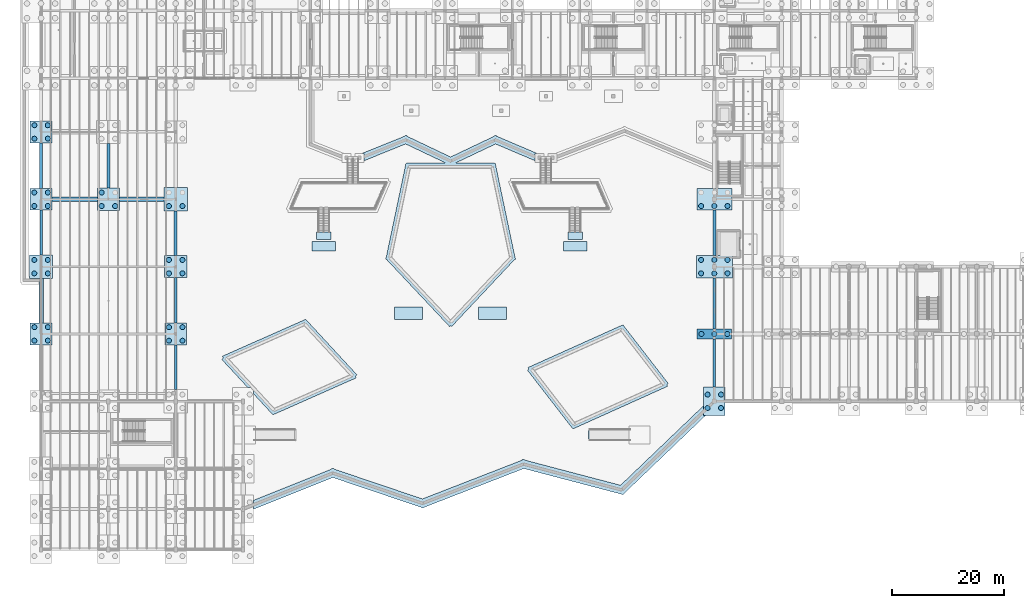
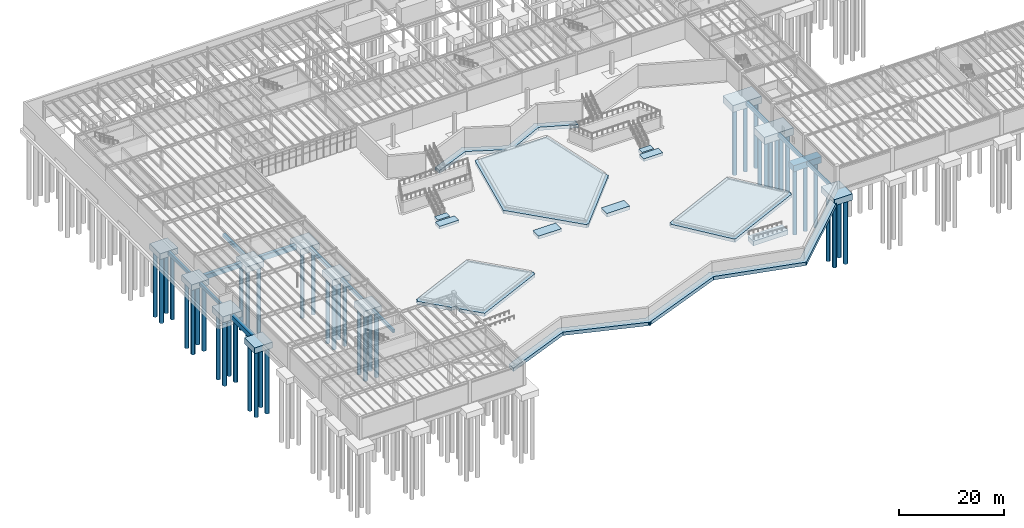
# One storey, part 2 of 67: 45 piles, 35 footings.
"""IFC4 building model written with IfcOpenShell, lengths in metres."""

from ifc_helpers import new_model, si_unit, direction, frame, origin, origin_2d, place, context, subcontext, project, spatial, polyline, rectangle, circle, outline, extrude, material, material_profile, profile_set, type_object, element, save


model = new_model("IFC4")

# Units and contexts
model_context = context("Model", 3, precision=1e-05, world=origin(), true_north=direction((0.0, 1.0)))
body_context = subcontext(model_context, "Body", "Model", "MODEL_VIEW")
ifc_project = project(units=[si_unit("LENGTHUNIT", "METRE"), si_unit("AREAUNIT", "SQUARE_METRE"), si_unit("VOLUMEUNIT", "CUBIC_METRE"), si_unit("PLANEANGLEUNIT", "RADIAN"), si_unit("MASSUNIT", "GRAM", prefix="KILO")], contexts=[model_context])

# Site, building, storey
site_placement = place(None, origin())
site = spatial("IfcSite", under=ifc_project, at=site_placement, CompositionType="ELEMENT")
building_placement = place(site_placement, origin())
building = spatial("IfcBuilding", under=site, at=building_placement, Name="Zlatogorsky Bluff Art Gallery", CompositionType="ELEMENT")
storey_placement = place(building_placement, frame((0.0, 0.0, -5.39990234375)))
storey = spatial("IfcBuildingStorey", under=building, at=storey_placement, Name="B1", CompositionType="ELEMENT", Elevation=-5.39990234375)

# Piles
ifc_material = material(Name="Concrete C35/45", Category="concrete")
ifc_material_profile = material_profile(ifc_material, circle(Radius=0.449951171875, at=origin_2d()), Name="BORED PILE D900")
ifc_profile_set = profile_set([ifc_material_profile], Name="Concrete C35/45")
pile_type = type_object("IfcPileType", Name="Bored Pile D900 C35/45", PredefinedType="BORED", material=ifc_profile_set)
for number, where, z_axis, x_axis, name in (
    (1, (-1.199951171875, 37.199951171875, -1.66015625), (0.0, 0.0, -1.0), (1.0, 0.0, 0.0), "Bored pile PL-01 00.04.1"),
    (2, (-1.199951171875, 39.60009765625, -1.66015625), (0.0, 0.0, -1.0), (1.0, 0.0, 0.0), "Bored pile PL-01 00.04.2"),
    (3, (1.199951171875, 37.199951171875, -1.66015625), (0.0, 0.0, -1.0), (1.0, 0.0, 0.0), "Bored pile PL-01 00.04.3"),
    (4, (1.199951171875, 39.60009765625, -1.66015625), (0.0, 0.0, -1.0), (1.0, 0.0, 0.0), "Bored pile PL-01 00.04.4"),
):
    element("IfcPile", number, at=place(storey_placement, frame(where, z_axis=z_axis, x_axis=x_axis)), inside=storey, type_object=pile_type, Name=name, PredefinedType="BORED", context=body_context, shape_type="SweptSolid", body=[
        extrude(circle(Radius=0.449951171875, at=origin_2d()), origin(), (0.0, 0.0, 1.0), 15.340087890625),
    ])
for number, where, z_axis, x_axis, name in (
    (5, (-1.199951171875, 49.199951171875, -1.72021484375), (0.0, 0.0, -1.0), (1.0, 0.0, 0.0), "Bored pile PL-01 00.05.1"),
    (6, (-1.199951171875, 51.60009765625, -1.72021484375), (0.0, 0.0, -1.0), (1.0, 0.0, 0.0), "Bored pile PL-01 00.05.2"),
    (7, (1.199951171875, 49.199951171875, -1.72021484375), (0.0, 0.0, -1.0), (1.0, 0.0, 0.0), "Bored pile PL-01 00.05.3"),
    (8, (1.199951171875, 51.60009765625, -1.72021484375), (0.0, 0.0, -1.0), (1.0, 0.0, 0.0), "Bored pile PL-01 00.05.4"),
):
    element("IfcPile", number, at=place(storey_placement, frame(where, z_axis=z_axis, x_axis=x_axis)), inside=storey, type_object=pile_type, Name=name, PredefinedType="BORED", context=body_context, shape_type="SweptSolid", body=[
        extrude(circle(Radius=0.449951171875, at=origin_2d()), origin(), (0.0, 0.0, 1.0), 15.280029296875),
    ])
for number, where, z_axis, x_axis, name in (
    (9, (-1.199951171875, 61.199951171875, -1.6201171875), (0.0, 0.0, -1.0), (1.0, 0.0, 0.0), "Bored pile PL-01 00.06.1"),
    (10, (-1.199951171875, 63.60009765625, -1.6201171875), (0.0, 0.0, -1.0), (1.0, 0.0, 0.0), "Bored pile PL-01 00.06.2"),
    (11, (1.199951171875, 61.199951171875, -1.6201171875), (0.0, 0.0, -1.0), (1.0, 0.0, 0.0), "Bored pile PL-01 00.06.3"),
    (12, (1.199951171875, 63.60009765625, -1.6201171875), (0.0, 0.0, -1.0), (1.0, 0.0, 0.0), "Bored pile PL-01 00.06.4"),
):
    element("IfcPile", number, at=place(storey_placement, frame(where, z_axis=z_axis, x_axis=x_axis)), inside=storey, type_object=pile_type, Name=name, PredefinedType="BORED", context=body_context, shape_type="SweptSolid", body=[
        extrude(circle(Radius=0.449951171875, at=origin_2d()), origin(), (0.0, 0.0, 1.0), 15.3798828125),
    ])
for number, where, z_axis, x_axis, name in (
    (13, (-1.199951171875, 73.199951171875, -1.66015625), (0.0, 0.0, -1.0), (1.0, 0.0, 0.0), "Bored pile PL-01 00.07.1"),
    (14, (-1.199951171875, 75.60009765625, -1.66015625), (0.0, 0.0, -1.0), (1.0, 0.0, 0.0), "Bored pile PL-01 00.07.2"),
    (15, (1.199951171875, 73.199951171875, -1.66015625), (0.0, 0.0, -1.0), (1.0, 0.0, 0.0), "Bored pile PL-01 00.07.3"),
    (16, (1.199951171875, 75.60009765625, -1.66015625), (0.0, 0.0, -1.0), (1.0, 0.0, 0.0), "Bored pile PL-01 00.07.4"),
    (17, (10.800048828125, 61.199951171875, -1.66015625), (0.0, 0.0, -1.0), (1.0, 0.0, 0.0), "Bored pile PL-01 01.06.1"),
    (18, (10.800048828125, 63.60009765625, -1.66015625), (0.0, 0.0, -1.0), (1.0, 0.0, 0.0), "Bored pile PL-01 01.06.2"),
    (19, (13.199951171875, 61.199951171875, -1.66015625), (0.0, 0.0, -1.0), (1.0, 0.0, 0.0), "Bored pile PL-01 01.06.3"),
):
    element("IfcPile", number, at=place(storey_placement, frame(where, z_axis=z_axis, x_axis=x_axis)), inside=storey, type_object=pile_type, Name=name, PredefinedType="BORED", context=body_context, shape_type="SweptSolid", body=[
        extrude(circle(Radius=0.449951171875, at=origin_2d()), origin(), (0.0, 0.0, 1.0), 15.340087890625),
    ])
for number, where, z_axis, x_axis, name in (
    (20, (22.800048828125, 37.199951171875, -1.6201171875), (0.0, 0.0, -1.0), (1.0, 0.0, 0.0), "Bored pile PL-01 02.04.1"),
    (21, (22.800048828125, 39.60009765625, -1.6201171875), (0.0, 0.0, -1.0), (1.0, 0.0, 0.0), "Bored pile PL-01 02.04.2"),
    (22, (25.199951171875, 37.199951171875, -1.6201171875), (0.0, 0.0, -1.0), (1.0, 0.0, 0.0), "Bored pile PL-01 02.04.3"),
    (23, (25.199951171875, 39.60009765625, -1.6201171875), (0.0, 0.0, -1.0), (1.0, 0.0, 0.0), "Bored pile PL-01 02.04.4"),
):
    element("IfcPile", number, at=place(storey_placement, frame(where, z_axis=z_axis, x_axis=x_axis)), inside=storey, type_object=pile_type, Name=name, PredefinedType="BORED", context=body_context, shape_type="SweptSolid", body=[
        extrude(circle(Radius=0.449951171875, at=origin_2d()), origin(), (0.0, 0.0, 1.0), 15.3798828125),
    ])
for number, where, z_axis, x_axis, name in (
    (24, (22.800048828125, 49.199951171875, -1.66015625), (0.0, 0.0, -1.0), (1.0, 0.0, 0.0), "Bored pile PL-01 02.05.1"),
    (25, (22.800048828125, 51.60009765625, -1.66015625), (0.0, 0.0, -1.0), (1.0, 0.0, 0.0), "Bored pile PL-01 02.05.2"),
    (26, (25.199951171875, 49.199951171875, -1.66015625), (0.0, 0.0, -1.0), (1.0, 0.0, 0.0), "Bored pile PL-01 02.05.3"),
    (27, (25.199951171875, 51.60009765625, -1.66015625), (0.0, 0.0, -1.0), (1.0, 0.0, 0.0), "Bored pile PL-01 02.05.4"),
):
    element("IfcPile", number, at=place(storey_placement, frame(where, z_axis=z_axis, x_axis=x_axis)), inside=storey, type_object=pile_type, Name=name, PredefinedType="BORED", context=body_context, shape_type="SweptSolid", body=[
        extrude(circle(Radius=0.449951171875, at=origin_2d()), origin(), (0.0, 0.0, 1.0), 15.340087890625),
    ])
for number, where, z_axis, x_axis, name in (
    (28, (22.800048828125, 61.199951171875, -1.72021484375), (0.0, 0.0, -1.0), (1.0, 0.0, 0.0), "Bored pile PL-01 02.06.1"),
    (29, (25.199951171875, 61.199951171875, -1.72021484375), (0.0, 0.0, -1.0), (1.0, 0.0, 0.0), "Bored pile PL-01 02.06.3"),
):
    element("IfcPile", number, at=place(storey_placement, frame(where, z_axis=z_axis, x_axis=x_axis)), inside=storey, type_object=pile_type, Name=name, PredefinedType="BORED", context=body_context, shape_type="SweptSolid", body=[
        extrude(circle(Radius=0.449951171875, at=origin_2d()), origin(), (0.0, 0.0, 1.0), 15.280029296875),
    ])
for number, where, z_axis, x_axis, name in (
    (30, (118.800048828125, 25.199951171875, -1.739990234375), (0.0, 0.0, -1.0), (1.0, 0.0, 0.0), "Bored pile PL-01 10.03.1"),
    (31, (118.800048828125, 27.60009765625, -1.739990234375), (0.0, 0.0, -1.0), (1.0, 0.0, 0.0), "Bored pile PL-01 10.03.2"),
    (32, (121.199951171875, 25.199951171875, -1.739990234375), (0.0, 0.0, -1.0), (1.0, 0.0, 0.0), "Bored pile PL-01 10.03.3"),
    (33, (121.199951171875, 27.60009765625, -1.739990234375), (0.0, 0.0, -1.0), (1.0, 0.0, 0.0), "Bored pile PL-01 10.03.4"),
):
    element("IfcPile", number, at=place(storey_placement, frame(where, z_axis=z_axis, x_axis=x_axis)), inside=storey, type_object=pile_type, Name=name, PredefinedType="BORED", context=body_context, shape_type="SweptSolid", body=[
        extrude(circle(Radius=0.449951171875, at=origin_2d()), origin(), (0.0, 0.0, 1.0), 15.260009765625),
    ])
for number, where, z_axis, x_axis, name in (
    (34, (117.699951171875, 38.39990234375, -1.75), (0.0, 0.0, -1.0), (1.0, 0.0, 0.0), "Bored pile PL-01 10.04.1"),
    (35, (120.0, 38.39990234375, -1.75), (0.0, 0.0, -1.0), (1.0, 0.0, 0.0), "Bored pile PL-01 10.04.2"),
    (36, (122.300048828125, 38.39990234375, -1.75), (0.0, 0.0, -1.0), (1.0, 0.0, 0.0), "Bored pile PL-01 10.04.3"),
):
    element("IfcPile", number, at=place(storey_placement, frame(where, z_axis=z_axis, x_axis=x_axis)), inside=storey, type_object=pile_type, Name=name, PredefinedType="BORED", context=body_context, shape_type="SweptSolid", body=[
        extrude(circle(Radius=0.449951171875, at=origin_2d()), origin(), (0.0, 0.0, 1.0), 15.25),
    ])
for number, where, z_axis, x_axis, name in (
    (37, (117.64990234375, 49.199951171875, -1.9501953125), (0.0, 0.0, -1.0), (1.0, 0.0, 0.0), "Bored pile PL-01 10.05.1"),
    (38, (120.0, 49.199951171875, -1.9501953125), (0.0, 0.0, -1.0), (1.0, 0.0, 0.0), "Bored pile PL-01 10.05.2"),
    (39, (122.35009765625, 49.199951171875, -1.9501953125), (0.0, 0.0, -1.0), (1.0, 0.0, 0.0), "Bored pile PL-01 10.05.3"),
    (40, (117.64990234375, 51.60009765625, -1.9501953125), (0.0, 0.0, -1.0), (1.0, 0.0, 0.0), "Bored pile PL-01 10.05.4"),
    (41, (120.0, 51.60009765625, -1.9501953125), (0.0, 0.0, -1.0), (1.0, 0.0, 0.0), "Bored pile PL-01 10.05.5"),
    (42, (122.35009765625, 51.60009765625, -1.9501953125), (0.0, 0.0, -1.0), (1.0, 0.0, 0.0), "Bored pile PL-01 10.05.6"),
):
    element("IfcPile", number, at=place(storey_placement, frame(where, z_axis=z_axis, x_axis=x_axis)), inside=storey, type_object=pile_type, Name=name, PredefinedType="BORED", context=body_context, shape_type="SweptSolid", body=[
        extrude(circle(Radius=0.449951171875, at=origin_2d()), origin(), (0.0, 0.0, 1.0), 15.050048828125),
    ])
for number, where, z_axis, x_axis, name in (
    (43, (117.64990234375, 61.199951171875, -1.900146484375), (0.0, 0.0, -1.0), (1.0, 0.0, 0.0), "Bored pile PL-01 10.06.1"),
    (44, (120.0, 61.199951171875, -1.900146484375), (0.0, 0.0, -1.0), (1.0, 0.0, 0.0), "Bored pile PL-01 10.06.2"),
    (45, (122.35009765625, 61.199951171875, -1.900146484375), (0.0, 0.0, -1.0), (1.0, 0.0, 0.0), "Bored pile PL-01 10.06.3"),
):
    element("IfcPile", number, at=place(storey_placement, frame(where, z_axis=z_axis, x_axis=x_axis)), inside=storey, type_object=pile_type, Name=name, PredefinedType="BORED", context=body_context, shape_type="SweptSolid", body=[
        extrude(circle(Radius=0.449951171875, at=origin_2d()), origin(), (0.0, 0.0, 1.0), 15.10009765625),
    ])

# Footings
footing_type_1 = type_object("IfcFootingType", Name="Foundation FB-01 450x750", PredefinedType="FOOTING_BEAM", material=ifc_material)
footing_1_placement = place(storey_placement, frame((0.0, 0.0, -1.150146484375)))
element("IfcFooting", 46, at=footing_1_placement, inside=storey, type_object=footing_type_1, Name="Ground tie beam FB-01 A/6-7", PredefinedType="FOOTING_BEAM", context=body_context, shape_type="SweptSolid", body=[
    extrude(outline(polyline([(-0.22509765625, 52.47509765625), (0.22509765625, 52.47509765625), (0.22509765625, 60.47509765625), (-0.22509765625, 60.47509765625), (-0.22509765625, 52.47509765625)])), origin(), (0.0, 0.0, 1.0), 0.75),
])
footing_2_placement = place(storey_placement, frame((0.0, 0.0, -1.150146484375)))
element("IfcFooting", 47, at=footing_2_placement, inside=storey, type_object=footing_type_1, Name="Ground tie beam FB-01 C/4-5", PredefinedType="FOOTING_BEAM", context=body_context, shape_type="SweptSolid", body=[
    extrude(outline(polyline([(23.77490234375, 28.47509765625), (24.22509765625, 28.47509765625), (24.22509765625, 36.47509765625), (23.77490234375, 36.47509765625), (23.77490234375, 28.47509765625)])), origin(), (0.0, 0.0, 1.0), 0.75),
])
footing_3_placement = place(storey_placement, frame((0.0, 0.0, -1.150146484375)))
element("IfcFooting", 48, at=footing_3_placement, inside=storey, type_object=footing_type_1, Name="Ground tie beam FB-01 L/4-5", PredefinedType="FOOTING_BEAM", context=body_context, shape_type="SweptSolid", body=[
    extrude(outline(polyline([(119.77490234375, 28.949951171875), (120.22509765625, 28.949951171875), (120.22509765625, 37.47509765625), (119.77490234375, 37.47509765625), (119.77490234375, 28.949951171875)])), origin(), (0.0, 0.0, 1.0), 0.75),
])
footing_type_2 = type_object("IfcFootingType", Name="Foundation FB-02 500x800", PredefinedType="FOOTING_BEAM", material=ifc_material)
footing_4_placement = place(storey_placement, frame((0.0, 0.0, -1.2001953125)))
element("IfcFooting", 49, at=footing_4_placement, inside=storey, type_object=footing_type_2, Name="Ground tie beam FB-02 A/7-8", PredefinedType="FOOTING_BEAM", context=body_context, shape_type="SweptSolid", body=[
    extrude(outline(polyline([(-0.25, 64.324951171875), (0.25, 64.324951171875), (0.25, 72.425048828125), (-0.25, 72.425048828125), (-0.25, 64.324951171875)])), origin(), (0.0, 0.0, 1.0), 0.800048828125),
])
footing_5_placement = place(storey_placement, frame((0.0, 0.0, -1.2001953125)))
element("IfcFooting", 50, at=footing_5_placement, inside=storey, type_object=footing_type_2, Name="Ground tie beam FB-02 C/5-6", PredefinedType="FOOTING_BEAM", context=body_context, shape_type="SweptSolid", body=[
    extrude(outline(polyline([(23.75, 40.324951171875), (24.25, 40.324951171875), (24.25, 48.425048828125), (23.75, 48.425048828125), (23.75, 40.324951171875)])), origin(), (0.0, 0.0, 1.0), 0.800048828125),
])
footing_6_placement = place(storey_placement, frame((0.0, 0.0, -1.2001953125)))
element("IfcFooting", 51, at=footing_6_placement, inside=storey, type_object=footing_type_2, Name="Ground tie beam FB-02 L/5-6", PredefinedType="FOOTING_BEAM", context=body_context, shape_type="SweptSolid", body=[
    extrude(outline(polyline([(119.75, 39.324951171875), (120.25, 39.324951171875), (120.25, 48.39990234375), (119.75, 48.39990234375), (119.75, 39.324951171875)])), origin(), (0.0, 0.0, 1.0), 0.800048828125),
])
footing_type_3 = type_object("IfcFootingType", Name="Foundation FB-03 550x850", PredefinedType="FOOTING_BEAM", material=ifc_material)
footing_7_placement = place(storey_placement, frame((0.0, 0.0, -1.25)))
element("IfcFooting", 52, at=footing_7_placement, inside=storey, type_object=footing_type_3, Name="Ground tie beam FB-03 B/7-8", PredefinedType="FOOTING_BEAM", context=body_context, shape_type="SweptSolid", body=[
    extrude(outline(polyline([(11.72509765625, 64.375), (12.27490234375, 64.375), (12.27490234375, 72.324951171875), (11.72509765625, 72.324951171875), (11.72509765625, 64.375)])), origin(), (0.0, 0.0, 1.0), 0.849853515625),
])
footing_8_placement = place(storey_placement, frame((0.0, 0.0, -1.25)))
element("IfcFooting", 53, at=footing_8_placement, inside=storey, type_object=footing_type_3, Name="Ground tie beam FB-03 C/6-7", PredefinedType="FOOTING_BEAM", context=body_context, shape_type="SweptSolid", body=[
    extrude(outline(polyline([(23.72509765625, 52.375), (24.27490234375, 52.375), (24.27490234375, 60.324951171875), (23.72509765625, 60.324951171875), (23.72509765625, 52.375)])), origin(), (0.0, 0.0, 1.0), 0.849853515625),
])
footing_9_placement = place(storey_placement, frame((0.0, 0.0, -1.25)))
element("IfcFooting", 54, at=footing_9_placement, inside=storey, type_object=footing_type_3, Name="Ground tie beam FB-03 L/6-7", PredefinedType="FOOTING_BEAM", context=body_context, shape_type="SweptSolid", body=[
    extrude(outline(polyline([(119.72509765625, 52.39990234375), (120.27490234375, 52.39990234375), (120.27490234375, 60.47509765625), (119.72509765625, 60.47509765625), (119.72509765625, 52.39990234375)])), origin(), (0.0, 0.0, 1.0), 0.849853515625),
])
footing_type_4 = type_object("IfcFootingType", Name="Foundation FB-07 750x1050", PredefinedType="FOOTING_BEAM", material=ifc_material)
footing_10_placement = place(storey_placement, frame((0.0, 0.0, -1.4501953125)))
element("IfcFooting", 55, at=footing_10_placement, inside=storey, type_object=footing_type_4, Name="Ground tie beam FB-07 A-B/7", PredefinedType="FOOTING_BEAM", context=body_context, shape_type="SweptSolid", body=[
    extrude(outline(polyline([(1.925048828125, 62.02490234375), (10.02490234375, 62.02490234375), (10.02490234375, 62.77490234375), (1.925048828125, 62.77490234375), (1.925048828125, 62.02490234375)])), origin(), (0.0, 0.0, 1.0), 1.050048828125),
])
footing_type_5 = type_object("IfcFootingType", Name="Foundation FB-08 800x1100", PredefinedType="FOOTING_BEAM", material=ifc_material)
footing_11_placement = place(storey_placement, frame((0.0, 0.0, -1.5)))
element("IfcFooting", 56, at=footing_11_placement, inside=storey, type_object=footing_type_5, Name="Ground tie beam FB-08 A/5-6", PredefinedType="FOOTING_BEAM", context=body_context, shape_type="SweptSolid", body=[
    extrude(outline(polyline([(-0.39990234375, 40.375), (0.39990234375, 40.375), (0.39990234375, 48.324951171875), (-0.39990234375, 48.324951171875), (-0.39990234375, 40.375)])), origin(), (0.0, 0.0, 1.0), 1.099853515625),
])
footing_12_placement = place(storey_placement, frame((0.0, 0.0, -1.5)))
element("IfcFooting", 57, at=footing_12_placement, inside=storey, type_object=footing_type_5, Name="Ground tie beam FB-08 B-C/7", PredefinedType="FOOTING_BEAM", context=body_context, shape_type="SweptSolid", body=[
    extrude(outline(polyline([(13.97509765625, 62.0), (21.925048828125, 62.0), (21.925048828125, 62.800048828125), (13.97509765625, 62.800048828125), (13.97509765625, 62.0)])), origin(), (0.0, 0.0, 1.0), 1.099853515625),
])
footing_type_6 = type_object("IfcFootingType", Name="Foundation SF-01 900x600", PredefinedType="STRIP_FOOTING", material=ifc_material)
footing_13_placement = place(storey_placement, frame((0.0, 0.0, -0.60009765625)))
element("IfcFooting", 58, at=footing_13_placement, inside=storey, type_object=footing_type_6, Name="Stepped bluff terrace strip footing SF-01 03", PredefinedType="STRIP_FOOTING", context=body_context, shape_type="SweptSolid", body=[
    extrude(outline(polyline([(48.300048828125, 53.199951171875), (48.300048828125, 54.89990234375), (52.5, 54.89990234375), (52.5, 53.199951171875), (48.300048828125, 53.199951171875)])), origin(), (0.0, 0.0, 1.0), 0.60009765625),
])
footing_type_7 = type_object("IfcFootingType", Name="Foundation SF-02 1050x650", PredefinedType="STRIP_FOOTING", material=ifc_material)
footing_14_placement = place(storey_placement, frame((0.0, 0.0, -0.650146484375)))
element("IfcFooting", 59, at=footing_14_placement, inside=storey, type_object=footing_type_7, Name="Stepped bluff terrace strip footing SF-02 04", PredefinedType="STRIP_FOOTING", context=body_context, shape_type="SweptSolid", body=[
    extrude(outline(polyline([(93.10009765625, 53.199951171875), (93.10009765625, 54.89990234375), (97.300048828125, 54.89990234375), (97.300048828125, 53.199951171875), (93.10009765625, 53.199951171875)])), origin(), (0.0, 0.0, 1.0), 0.650146484375),
])
footing_type_8 = type_object("IfcFootingType", Name="Foundation SF-03 1200x700", PredefinedType="STRIP_FOOTING", material=ifc_material)
footing_15_placement = place(storey_placement, frame((0.0, 0.0, -0.7001953125)))
element("IfcFooting", 60, at=footing_15_placement, inside=storey, type_object=footing_type_8, Name="Stepped bluff terrace strip footing SF-03 05", PredefinedType="STRIP_FOOTING", context=body_context, shape_type="SweptSolid", body=[
    extrude(outline(polyline([(63.0, 41.0), (63.0, 43.199951171875), (68.0, 43.199951171875), (68.0, 41.0), (63.0, 41.0)])), origin(), (0.0, 0.0, 1.0), 0.7001953125),
])
footing_type_9 = type_object("IfcFootingType", Name="Foundation SF-04 1350x750", PredefinedType="STRIP_FOOTING", material=ifc_material)
footing_16_placement = place(storey_placement, frame((0.0, 0.0, -0.75)))
element("IfcFooting", 61, at=footing_16_placement, inside=storey, type_object=footing_type_9, Name="Stepped bluff terrace strip footing SF-04 06", PredefinedType="STRIP_FOOTING", context=body_context, shape_type="SweptSolid", body=[
    extrude(outline(polyline([(56.184814453125, 30.56494140625), (41.36181640625, 24.00048828125), (41.34326171875, 24.04248046875), (41.3095703125, 24.011474609375), (37.905029296875, 27.6962890625), (37.905029296875, 28.875), (37.905029296875, 28.87548828125), (37.90478515625, 28.8759765625), (37.90478515625, 28.87646484375), (37.904541015625, 28.876953125), (37.904296875, 28.87744140625), (37.904052734375, 28.877685546875), (37.90380859375, 28.878173828125), (37.903564453125, 28.87841796875), (37.903076171875, 28.87890625), (37.90283203125, 28.879150390625), (37.90234375, 28.87939453125), (37.90185546875, 28.879638671875), (37.9013671875, 28.8798828125), (37.90087890625, 28.8798828125), (37.900390625, 28.8798828125), (37.89990234375, 28.8798828125), (36.8115234375, 28.8798828125), (32.19873046875, 33.87255859375), (32.458251953125, 34.112060546875), (32.315185546875, 34.43505859375), (47.13818359375, 40.99951171875), (47.15673828125, 40.95751953125), (47.1904296875, 40.988525390625), (56.30126953125, 31.12744140625), (56.041748046875, 30.887939453125), (56.184814453125, 30.56494140625)])), origin(), (0.0, 0.0, 1.0), 0.75),
])
footing_17_placement = place(storey_placement, frame((0.0, 0.0, -0.75)))
element("IfcFooting", 62, at=footing_17_placement, inside=storey, type_object=footing_type_9, Name="Stepped bluff terrace strip footing SF-04 07", PredefinedType="STRIP_FOOTING", context=body_context, shape_type="SweptSolid", body=[
    extrude(outline(polyline([(61.467041015625, 51.79443359375), (61.39990234375, 51.865966796875), (61.50244140625, 51.962158203125), (65.03173828125, 68.779052734375), (65.14990234375, 68.754150390625), (65.14990234375, 68.875), (72.111083984375, 68.875), (64.978271484375, 72.262939453125), (57.554931640625, 69.25830078125), (57.554931640625, 70.60009765625), (57.554931640625, 70.6005859375), (57.554931640625, 70.60107421875), (57.5546875, 70.6015625), (57.5546875, 70.601806640625), (57.554443359375, 70.602294921875), (57.55419921875, 70.602783203125), (57.553955078125, 70.603271484375), (57.553466796875, 70.603515625), (57.55322265625, 70.603759765625), (57.552734375, 70.604248046875), (57.55224609375, 70.6044921875), (57.552001953125, 70.604736328125), (57.551513671875, 70.604736328125), (57.551025390625, 70.60498046875), (57.550537109375, 70.60498046875), (57.550048828125, 70.60498046875), (57.283935546875, 70.60498046875), (64.8115234375, 73.65185546875), (64.883056640625, 73.802734375), (65.021728515625, 73.737060546875), (65.163818359375, 73.79443359375), (65.2265625, 73.6396484375), (73.0, 69.947265625), (80.785400390625, 73.645263671875), (80.849853515625, 73.797119140625), (80.984619140625, 73.739990234375), (81.116943359375, 73.802734375), (81.187744140625, 73.653564453125), (88.361083984375, 70.60498046875), (88.050048828125, 70.60498046875), (88.049560546875, 70.60498046875), (88.049072265625, 70.60498046875), (88.048583984375, 70.604736328125), (88.048095703125, 70.604736328125), (88.047607421875, 70.6044921875), (88.047119140625, 70.604248046875), (88.046875, 70.603759765625), (88.04638671875, 70.603515625), (88.046142578125, 70.603271484375), (88.0458984375, 70.602783203125), (88.045654296875, 70.602294921875), (88.04541015625, 70.601806640625), (88.045166015625, 70.6015625), (88.045166015625, 70.60107421875), (88.044921875, 70.6005859375), (88.044921875, 70.60009765625), (88.044921875, 69.2724609375), (81.015380859375, 72.260009765625), (73.888916015625, 68.875), (80.85009765625, 68.875), (80.85009765625, 68.754150390625), (80.96826171875, 68.779052734375), (84.49755859375, 51.962158203125), (84.60009765625, 51.865966796875), (84.532958984375, 51.79443359375), (84.552978515625, 51.6982421875), (84.41552734375, 51.66943359375), (73.18408203125, 39.7099609375), (73.0, 39.882568359375), (72.81591796875, 39.7099609375), (61.58447265625, 51.66943359375), (61.447021484375, 51.6982421875), (61.467041015625, 51.79443359375)])), origin(), (0.0, 0.0, 1.0), 0.75),
])
footing_18_placement = place(storey_placement, frame((0.0, 0.0, -0.75)))
element("IfcFooting", 63, at=footing_18_placement, inside=storey, type_object=footing_type_9, Name="Stepped bluff terrace strip footing SF-04 10", PredefinedType="STRIP_FOOTING", context=body_context, shape_type="SweptSolid", body=[
    extrude(outline(polyline([(86.690673828125, 31.943115234375), (86.944091796875, 32.138916015625), (86.812744140625, 32.430908203125), (103.63330078125, 40.000244140625), (103.67626953125, 39.905029296875), (103.7587890625, 39.968994140625), (111.809326171875, 29.556884765625), (111.555908203125, 29.361083984375), (111.687255859375, 29.069091796875), (94.86669921875, 21.499755859375), (94.82373046875, 21.594970703125), (94.7412109375, 21.531005859375), (86.690673828125, 31.943115234375)])), origin(), (0.0, 0.0, 1.0), 0.75),
])
footing_type_10 = type_object("IfcFootingType", Name="Foundation SF-05 1500x800", PredefinedType="STRIP_FOOTING", material=ifc_material)
footing_19_placement = place(storey_placement, frame((0.0, 0.0, -2.10009765625)))
element("IfcFooting", 64, at=footing_19_placement, inside=storey, type_object=footing_type_10, Name="Stepped bluff terrace strip footing SF-05 01", PredefinedType="STRIP_FOOTING", context=body_context, shape_type="SweptSolid", body=[
    extrude(outline(polyline([(51.8134765625, 14.45458984375), (51.97802734375, 14.39892578125), (52.13916015625, 14.46337890625), (52.1943359375, 14.325927734375), (67.98193359375, 8.99755859375), (85.71728515625, 15.894775390625), (85.75537109375, 16.039794921875), (85.955078125, 15.9873046875), (86.1474609375, 16.06201171875), (86.201904296875, 15.92236328125), (103.28466796875, 11.43212890625), (118.044921875, 25.56640625), (118.044921875, 23.85009765625), (118.044921875, 23.849609375), (118.045166015625, 23.84912109375), (118.045166015625, 23.8486328125), (118.04541015625, 23.84814453125), (118.045654296875, 23.84765625), (118.0458984375, 23.84716796875), (118.046142578125, 23.846923828125), (118.04638671875, 23.846435546875), (118.046875, 23.84619140625), (118.047119140625, 23.845947265625), (118.047607421875, 23.845703125), (118.048095703125, 23.845458984375), (118.048583984375, 23.84521484375), (118.049072265625, 23.84521484375), (118.049560546875, 23.844970703125), (118.050048828125, 23.844970703125), (118.416259765625, 23.844970703125), (103.757080078125, 9.8076171875), (103.74462890625, 9.76025390625), (103.71533203125, 9.767822265625), (103.693603515625, 9.7470703125), (103.65966796875, 9.782470703125), (86.044921875, 14.412841796875), (68.234130859375, 7.486328125), (68.1865234375, 7.345458984375), (68.01806640625, 7.40234375), (67.8525390625, 7.337890625), (67.798583984375, 7.476318359375), (52.02197265625, 12.801025390625), (37.905029296875, 7.154296875), (37.905029296875, 8.769775390625), (51.76611328125, 14.314208984375), (51.8134765625, 14.45458984375)])), origin(), (0.0, 0.0, 1.0), 0.800048828125),
])
footing_type_11 = type_object("IfcFootingType", Name="Foundation SF-06 1650x850", PredefinedType="STRIP_FOOTING", material=ifc_material)
footing_20_placement = place(storey_placement, frame((0.0, 0.0, -0.85009765625)))
element("IfcFooting", 65, at=footing_20_placement, inside=storey, type_object=footing_type_11, Name="Stepped bluff terrace strip footing SF-06 13", PredefinedType="STRIP_FOOTING", context=body_context, shape_type="SweptSolid", body=[
    extrude(outline(polyline([(78.0, 41.0), (78.0, 43.199951171875), (83.0, 43.199951171875), (83.0, 41.0), (78.0, 41.0)])), origin(), (0.0, 0.0, 1.0), 0.85009765625),
])
footing_type_12 = type_object("IfcFootingType", Name="Pad Footing PF-09 2200x1600x700", PredefinedType="PAD_FOOTING", material=ifc_material)
footing_21_placement = place(storey_placement, frame((0.0, 0.0, -0.75)))
element("IfcFooting", 66, at=footing_21_placement, inside=storey, type_object=footing_type_12, Name="Amphitheatre stair bearing pad PAD-AMP-1-LO", PredefinedType="PAD_FOOTING", context=body_context, shape_type="SweptSolid", body=[
    extrude(outline(polyline([(49.10009765625, 55.199951171875), (51.699951171875, 55.199951171875), (51.699951171875, 56.550048828125), (49.10009765625, 56.550048828125), (49.10009765625, 55.199951171875)])), origin(), (0.0, 0.0, 1.0), 0.75),
])
footing_22_placement = place(storey_placement, frame((0.0, 0.0, -0.75)))
element("IfcFooting", 67, at=footing_22_placement, inside=storey, type_object=footing_type_12, Name="Amphitheatre stair bearing pad PAD-AMP-2-LO", PredefinedType="PAD_FOOTING", context=body_context, shape_type="SweptSolid", body=[
    extrude(outline(polyline([(93.89990234375, 55.199951171875), (96.5, 55.199951171875), (96.5, 56.550048828125), (93.89990234375, 56.550048828125), (93.89990234375, 55.199951171875)])), origin(), (0.0, 0.0, 1.0), 0.75),
])
footing_type_13 = type_object("IfcFootingType", Name="Pad Footing PF-12 2650x1900x850", PredefinedType="PAD_FOOTING", material=ifc_material)
footing_23_placement = place(storey_placement, frame((0.0, 0.0, -1.25)))
element("IfcFooting", 68, at=footing_23_placement, inside=storey, type_object=footing_type_13, Name="Sunken court ramp foundation pad 6", PredefinedType="PAD_FOOTING", context=body_context, shape_type="SweptSolid", body=[
    extrude(outline(polyline([(97.60009765625, 19.35009765625), (105.199951171875, 19.35009765625), (105.199951171875, 21.449951171875), (97.60009765625, 21.449951171875), (97.60009765625, 19.35009765625)])), origin(), (0.0, 0.0, 1.0), 1.06982421875),
])
footing_type_14 = type_object("IfcFootingType", Name="Pile Cap PC-09 3850x3850x1320", PredefinedType="PILE_CAP", material=ifc_material)
for number, where, z_axis, x_axis, name in (
    (69, (0.0, 62.39990234375, -1.72021484375), (0.0, 0.0, 1.0), (1.0, 0.0, 0.0), "Pile cap PC-09 at A7"),
    (70, (24.0, 38.39990234375, -1.72021484375), (0.0, 0.0, 1.0), (1.0, 0.0, 0.0), "Pile cap PC-09 at C5"),
):
    element("IfcFooting", number, at=place(storey_placement, frame(where, z_axis=z_axis, x_axis=x_axis)), inside=storey, type_object=footing_type_14, Name=name, PredefinedType="PILE_CAP", context=body_context, shape_type="SweptSolid", body=[
        extrude(rectangle(XDim=3.85009765625, YDim=3.85009765625, at=origin_2d()), origin(), (0.0, 0.0, 1.0), 1.320068359375),
    ])
footing_type_15 = type_object("IfcFootingType", Name="Pile Cap PC-10 3950x3950x1360", PredefinedType="PILE_CAP", material=ifc_material)
for number, where, z_axis, x_axis, name in (
    (71, (0.0, 38.39990234375, -1.76025390625), (0.0, 0.0, 1.0), (1.0, 0.0, 0.0), "Pile cap PC-10 at A5"),
    (72, (0.0, 74.39990234375, -1.76025390625), (0.0, 0.0, 1.0), (1.0, 0.0, 0.0), "Pile cap PC-10 at A8"),
    (73, (12.0, 62.39990234375, -1.76025390625), (0.0, 0.0, 1.0), (1.0, 0.0, 0.0), "Pile cap PC-10 at B7"),
    (74, (24.0, 50.39990234375, -1.76025390625), (0.0, 0.0, 1.0), (1.0, 0.0, 0.0), "Pile cap PC-10 at C6"),
):
    element("IfcFooting", number, at=place(storey_placement, frame(where, z_axis=z_axis, x_axis=x_axis)), inside=storey, type_object=footing_type_15, Name=name, PredefinedType="PILE_CAP", context=body_context, shape_type="SweptSolid", body=[
        extrude(rectangle(XDim=3.949951171875, YDim=3.949951171875, at=origin_2d()), origin(), (0.0, 0.0, 1.0), 1.360107421875),
    ])
footing_type_16 = type_object("IfcFootingType", Name="Pile Cap PC-11 4150x4150x1420", PredefinedType="PILE_CAP", material=ifc_material)
for number, where, z_axis, x_axis, name in (
    (75, (0.0, 50.39990234375, -1.820068359375), (0.0, 0.0, 1.0), (1.0, 0.0, 0.0), "Pile cap PC-11 at A6"),
    (76, (24.0, 62.39990234375, -1.820068359375), (0.0, 0.0, 1.0), (1.0, 0.0, 0.0), "Pile cap PC-11 at C7"),
):
    element("IfcFooting", number, at=place(storey_placement, frame(where, z_axis=z_axis, x_axis=x_axis)), inside=storey, type_object=footing_type_16, Name=name, PredefinedType="PILE_CAP", context=body_context, shape_type="SweptSolid", body=[
        extrude(rectangle(XDim=4.14990234375, YDim=4.14990234375, at=origin_2d()), origin(), (0.0, 0.0, 1.0), 1.419921875),
    ])
footing_type_17 = type_object("IfcFootingType", Name="Pile Cap PC-13 3900x5100x1440", PredefinedType="PILE_CAP", material=ifc_material)
footing_24_placement = place(storey_placement, frame((120.0, 26.39990234375, -1.840087890625), z_axis=(0.0, 0.0, 1.0), x_axis=(1.0, 0.0, 0.0)))
element("IfcFooting", 77, at=footing_24_placement, inside=storey, type_object=footing_type_17, Name="Pile cap PC-13 at L4", PredefinedType="PILE_CAP", context=body_context, shape_type="SweptSolid", body=[
    extrude(rectangle(XDim=3.89990234375, YDim=5.10009765625, at=origin_2d()), origin(), (0.0, 0.0, 1.0), 1.43994140625),
])
footing_type_18 = type_object("IfcFootingType", Name="Pile Cap PC-14 6250x3850x1600", PredefinedType="PILE_CAP", material=ifc_material)
footing_25_placement = place(storey_placement, frame((120.0, 62.39990234375, -2.000244140625), z_axis=(0.0, 0.0, 1.0), x_axis=(1.0, 0.0, 0.0)))
element("IfcFooting", 78, at=footing_25_placement, inside=storey, type_object=footing_type_18, Name="Pile cap PC-14 at L7", PredefinedType="PILE_CAP", context=body_context, shape_type="SweptSolid", body=[
    extrude(rectangle(XDim=6.25, YDim=3.85009765625, at=origin_2d()), origin(), (0.0, 0.0, 1.0), 1.60009765625),
])
footing_type_19 = type_object("IfcFootingType", Name="Pile Cap PC-15 6400x4000x1650", PredefinedType="PILE_CAP", material=ifc_material)
footing_26_placement = place(storey_placement, frame((120.0, 50.39990234375, -2.050048828125), z_axis=(0.0, 0.0, 1.0), x_axis=(1.0, 0.0, 0.0)))
element("IfcFooting", 79, at=footing_26_placement, inside=storey, type_object=footing_type_19, Name="Pile cap PC-15 at L6", PredefinedType="PILE_CAP", context=body_context, shape_type="SweptSolid", body=[
    extrude(rectangle(XDim=6.39990234375, YDim=4.0, at=origin_2d()), origin(), (0.0, 0.0, 1.0), 1.64990234375),
])
footing_type_20 = type_object("IfcFootingType", Name="Pile Cap PC-18 6150x1850x1450", PredefinedType="PILE_CAP", material=ifc_material)
footing_27_placement = place(storey_placement, frame((120.0, 38.39990234375, -1.85009765625), z_axis=(0.0, 0.0, 1.0), x_axis=(1.0, 0.0, 0.0)))
element("IfcFooting", 80, at=footing_27_placement, inside=storey, type_object=footing_type_20, Name="Pile cap PC-18 at L5", PredefinedType="PILE_CAP", context=body_context, shape_type="SweptSolid", body=[
    extrude(rectangle(XDim=6.14990234375, YDim=1.85009765625, at=origin_2d()), origin(), (0.0, 0.0, 1.0), 1.449951171875),
])

save(model, "model.ifc")
